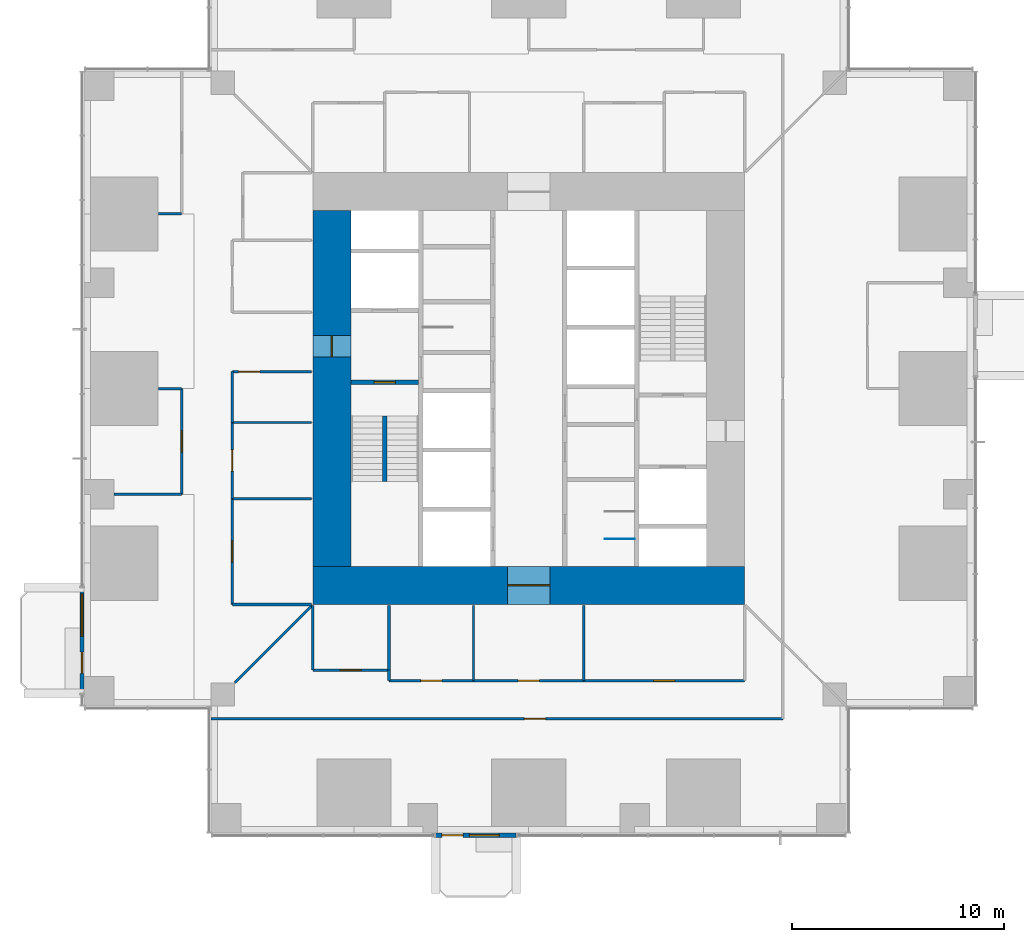
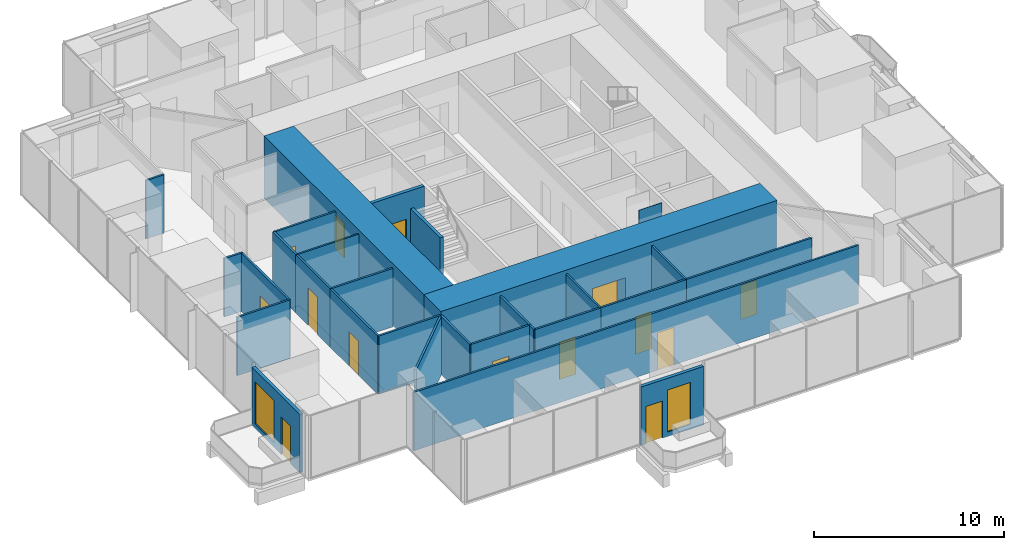
# One storey, part 11 of 17: 29 walls, 14 doors, 2 windows, 16 openings.
"""IFC4 building model written with IfcOpenShell, lengths in metres."""

from ifc_helpers import new_model, si_unit, direction, frame, frame_2d, origin, place, context, subcontext, project, spatial, rectangle, extrude, material, layer, layer_set, type_object, element, fill, save


model = new_model("IFC4")

# Units and contexts
model_context = context("Model", 3, precision=1e-05, world=origin(), true_north=direction((0.0, 1.0)))
body_context = subcontext(model_context, "Body", "Model", "MODEL_VIEW")
ifc_project = project(units=[si_unit("LENGTHUNIT", "METRE"), si_unit("AREAUNIT", "SQUARE_METRE"), si_unit("VOLUMEUNIT", "CUBIC_METRE"), si_unit("PLANEANGLEUNIT", "RADIAN"), si_unit("MASSUNIT", "GRAM", prefix="KILO")], contexts=[model_context])

# Site, building, storey
site_placement = place(None, origin())
site = spatial("IfcSite", under=ifc_project, at=site_placement, CompositionType="ELEMENT")
building_placement = place(site_placement, origin())
building = spatial("IfcBuilding", under=site, at=building_placement, Name="Svetlomir Tower", CompositionType="ELEMENT")
storey_placement = place(building_placement, frame((0.0, 0.0, 30.5)))
storey = spatial("IfcBuildingStorey", under=building, at=storey_placement, Name="L06", CompositionType="ELEMENT", Elevation=30.5)

# Wall, openings, door, window
ifc_material_1 = material(Name="Bronze anodised aluminium glazed screen", Category="aluminium")
ifc_layer_1 = layer(ifc_material_1, 0.199951171875)
ifc_layer_set_1 = layer_set([ifc_layer_1], Name="Bronze anodised aluminium glazed screen")
wall_type_1 = type_object("IfcWallType", Name="BALCONY SCREEN WALL 200", PredefinedType="USERDEFINED", material=ifc_layer_set_1)
wall_1_placement = place(storey_placement, frame((16.60009765625, -0.10009765625, 0.0), z_axis=(0.0, 0.0, 1.0), x_axis=(1.0, 0.0, 0.0)))
wall_1 = element("IfcWall", 1, at=wall_1_placement, inside=storey, type_object=wall_type_1, Name="Balcony screen S", ObjectType="GLAZED SCREEN", PredefinedType="USERDEFINED", context=body_context, shape_type="SweptSolid", body=[
    extrude(rectangle(XDim=3.7998046875, YDim=0.199951171875, at=frame_2d((1.89990234375, 0.0))), origin(), (0.0, 0.0, 1.0), 3.75),
])
opening_1_placement = place(wall_1_placement, frame((0.300048828125, 0.0, 0.0)))
opening_1 = element("IfcOpeningElement", 2, at=opening_1_placement, cuts=wall_1, Name="Opening BD", PredefinedType="OPENING", context=body_context, shape_type="SweptSolid", body=[
    extrude(rectangle(XDim=1.0, YDim=2.39990234375, at=frame_2d((0.5, 1.199951171875))), frame((0.0, 0.10986328125, 0.0), z_axis=(0.0, -1.0, 0.0), x_axis=(1.0, 0.0, 0.0)), (0.0, 0.0, 1.0), 0.219970703125),
])
opening_2_placement = place(wall_1_placement, frame((1.60009765625, 0.0, 0.300048828125)))
opening_2 = element("IfcOpeningElement", 3, at=opening_2_placement, cuts=wall_1, Name="Opening WS2", PredefinedType="OPENING", context=body_context, shape_type="SweptSolid", body=[
    extrude(rectangle(XDim=1.39990234375, YDim=2.699951171875, at=frame_2d((0.699951171875, 1.35009765625))), frame((0.0, 0.10986328125, 0.0), z_axis=(0.0, -1.0, 0.0), x_axis=(1.0, 0.0, 0.0)), (0.0, 0.0, 1.0), 0.219970703125),
])
ifc_material_2 = material(Name="Bronze anodised aluminium glazed door", Category="aluminium")
door_type_1 = type_object("IfcDoorType", Name="BALCONY DOOR BD 1000x2400", OperationType="SINGLE_SWING_LEFT", PredefinedType="DOOR", material=ifc_material_2)
door_1_placement = place(opening_1_placement, origin())
door_1 = element("IfcDoor", 4, at=door_1_placement, inside=storey, type_object=door_type_1, Name="Balcony screen S door", OperationType="SINGLE_SWING_LEFT", OverallHeight=2.39990234375, OverallWidth=1.0, PredefinedType="DOOR", context=body_context, shape_type="SweptSolid", body=[
    extrude(rectangle(XDim=1.0, YDim=2.39990234375, at=frame_2d((0.5, 1.199951171875))), frame((0.0, 0.02490234375, 0.0), z_axis=(0.0, -1.0, 0.0), x_axis=(1.0, 0.0, 0.0)), (0.0, 0.0, 1.0), 0.050048828125),
])
fill(opening_1, door_1)
ifc_material_3 = material(Name="Bronze anodised aluminium window", Category="aluminium")
window_type_1 = type_object("IfcWindowType", Name="SCREEN WINDOW WS2 1400x2700", PartitioningType="SINGLE_PANEL", PredefinedType="WINDOW", material=ifc_material_3)
window_1_placement = place(opening_2_placement, origin())
window_1 = element("IfcWindow", 5, at=window_1_placement, inside=storey, type_object=window_type_1, Name="Balcony screen S window 1", OverallHeight=2.699951171875, OverallWidth=1.39990234375, PartitioningType="SINGLE_PANEL", PredefinedType="WINDOW", context=body_context, shape_type="SweptSolid", body=[
    extrude(rectangle(XDim=1.39990234375, YDim=2.699951171875, at=frame_2d((0.699951171875, 1.35009765625))), frame((0.0, 0.030029296875, 0.0), z_axis=(0.0, -1.0, 0.0), x_axis=(1.0, 0.0, 0.0)), (0.0, 0.0, 1.0), 0.06005859375),
])
fill(opening_2, window_1)

wall_2_placement = place(storey_placement, frame((-0.10009765625, 11.60009765625, 0.0), z_axis=(0.0, 0.0, 1.0), x_axis=(0.0, -1.0, 0.0)))
wall_2 = element("IfcWall", 6, at=wall_2_placement, inside=storey, type_object=wall_type_1, Name="Balcony screen W", ObjectType="GLAZED SCREEN", PredefinedType="USERDEFINED", context=body_context, shape_type="SweptSolid", body=[
    extrude(rectangle(XDim=5.0, YDim=0.199951171875, at=frame_2d((2.5, 0.0))), origin(), (0.0, 0.0, 1.0), 3.75),
])
opening_3_placement = place(wall_2_placement, frame((3.050048828125, 0.0, 0.0)))
opening_3 = element("IfcOpeningElement", 7, at=opening_3_placement, cuts=wall_2, Name="Opening BD", PredefinedType="OPENING", context=body_context, shape_type="SweptSolid", body=[
    extrude(rectangle(XDim=1.0, YDim=2.39990234375, at=frame_2d((0.5, 1.199951171875))), frame((0.0, 0.10986328125, 0.0), z_axis=(0.0, -1.0, 0.0), x_axis=(1.0, 0.0, 0.0)), (0.0, 0.0, 1.0), 0.219970703125),
])
opening_4_placement = place(wall_2_placement, frame((0.300048828125, 0.0, 0.300048828125)))
opening_4 = element("IfcOpeningElement", 8, at=opening_4_placement, cuts=wall_2, Name="Opening WS", PredefinedType="OPENING", context=body_context, shape_type="SweptSolid", body=[
    extrude(rectangle(XDim=2.0, YDim=2.699951171875, at=frame_2d((1.0, 1.35009765625))), frame((0.0, 0.10986328125, 0.0), z_axis=(0.0, -1.0, 0.0), x_axis=(1.0, 0.0, 0.0)), (0.0, 0.0, 1.0), 0.219970703125),
])
door_2_placement = place(opening_3_placement, origin())
door_2 = element("IfcDoor", 9, at=door_2_placement, inside=storey, type_object=door_type_1, Name="Balcony screen W door", OperationType="SINGLE_SWING_LEFT", OverallHeight=2.39990234375, OverallWidth=1.0, PredefinedType="DOOR", context=body_context, shape_type="SweptSolid", body=[
    extrude(rectangle(XDim=1.0, YDim=2.39990234375, at=frame_2d((0.5, 1.199951171875))), frame((0.0, 0.02490234375, 0.0), z_axis=(0.0, -1.0, 0.0), x_axis=(1.0, 0.0, 0.0)), (0.0, 0.0, 1.0), 0.050048828125),
])
fill(opening_3, door_2)
ifc_material_4 = material(Name="Bronze anodised aluminium window", Category="aluminium")
window_type_2 = type_object("IfcWindowType", Name="SCREEN WINDOW WS 2000x2700", PartitioningType="SINGLE_PANEL", PredefinedType="WINDOW", material=ifc_material_4)
window_2_placement = place(opening_4_placement, origin())
window_2 = element("IfcWindow", 10, at=window_2_placement, inside=storey, type_object=window_type_2, Name="Balcony screen W window 1", OverallHeight=2.699951171875, OverallWidth=2.0, PartitioningType="SINGLE_PANEL", PredefinedType="WINDOW", context=body_context, shape_type="SweptSolid", body=[
    extrude(rectangle(XDim=2.0, YDim=2.699951171875, at=frame_2d((1.0, 1.35009765625))), frame((0.0, 0.030029296875, 0.0), z_axis=(0.0, -1.0, 0.0), x_axis=(1.0, 0.0, 0.0)), (0.0, 0.0, 1.0), 0.06005859375),
])
fill(opening_4, window_2)

# Wall, opening, door
ifc_material_5 = material(Name="Concrete C60/75", Category="concrete")
ifc_layer_2 = layer(ifc_material_5, 0.199951171875)
ifc_layer_set_2 = layer_set([ifc_layer_2], Name="Concrete C60/75")
wall_type_2 = type_object("IfcWallType", Name="CORE INNER WALL 200", PredefinedType="SHEAR", material=ifc_layer_set_2)
wall_3_placement = place(storey_placement, frame((12.60009765625, 21.300048828125, -0.050048828125), z_axis=(0.0, 0.0, 1.0), x_axis=(1.0, 0.0, 0.0)))
wall_3 = element("IfcWall", 11, at=wall_3_placement, inside=storey, type_object=wall_type_2, Name="Core inner wall 12.6-15.8/21.3 L06", PredefinedType="SHEAR", context=body_context, shape_type="SweptSolid", body=[
    extrude(rectangle(XDim=3.199951171875, YDim=0.199951171875, at=frame_2d((1.60009765625, 0.0))), origin(), (0.0, 0.0, 1.0), 4.0),
])
opening_5_placement = place(wall_3_placement, frame((1.10009765625, 0.0, 0.050048828125)))
opening_5 = element("IfcOpeningElement", 12, at=opening_5_placement, cuts=wall_3, Name="Opening DF", PredefinedType="OPENING", context=body_context, shape_type="SweptSolid", body=[
    extrude(rectangle(XDim=1.0, YDim=2.199951171875, at=frame_2d((0.5, 1.10009765625))), frame((0.0, 0.10986328125, 0.0), z_axis=(0.0, -1.0, 0.0), x_axis=(1.0, 0.0, 0.0)), (0.0, 0.0, 1.0), 0.219970703125),
])
ifc_material_6 = material(Name="Steel fire door", Category="steel")
door_type_2 = type_object("IfcDoorType", Name="DOOR DF 1000x2200", OperationType="SINGLE_SWING_LEFT", PredefinedType="DOOR", material=ifc_material_6)
door_3_placement = place(opening_5_placement, origin())
door_3 = element("IfcDoor", 13, at=door_3_placement, inside=storey, type_object=door_type_2, Name="Stair S1 door L06", OperationType="SINGLE_SWING_LEFT", OverallHeight=2.199951171875, OverallWidth=1.0, PredefinedType="DOOR", context=body_context, shape_type="SweptSolid", body=[
    extrude(rectangle(XDim=1.0, YDim=2.199951171875, at=frame_2d((0.5, 1.10009765625))), frame((0.0, 0.02490234375, 0.0), z_axis=(0.0, -1.0, 0.0), x_axis=(1.0, 0.0, 0.0)), (0.0, 0.0, 1.0), 0.050048828125),
])
fill(opening_5, door_3)

ifc_material_7 = material(Name="Concrete C60/75", Category="concrete")
ifc_layer_3 = layer(ifc_material_7, 1.800048828125)
ifc_layer_set_3 = layer_set([ifc_layer_3], Name="Concrete C60/75")
wall_type_3 = type_object("IfcWallType", Name="CORE WALL 1800", PredefinedType="SHEAR", material=ifc_layer_set_3)
wall_4_placement = place(storey_placement, frame((10.800048828125, 11.699951171875, -0.050048828125), z_axis=(0.0, 0.0, 1.0), x_axis=(1.0, 0.0, 0.0)))
wall_4 = element("IfcWall", 14, at=wall_4_placement, inside=storey, type_object=wall_type_3, Name="Core wall south L06", PredefinedType="SHEAR", context=body_context, shape_type="SweptSolid", body=[
    extrude(rectangle(XDim=20.39990234375, YDim=1.800048828125, at=frame_2d((10.199951171875, 0.0))), origin(), (0.0, 0.0, 1.0), 4.0),
])
opening_6_placement = place(wall_4_placement, frame((9.199951171875, 0.0, 0.050048828125)))
opening_6 = element("IfcOpeningElement", 15, at=opening_6_placement, cuts=wall_4, Name="Opening DL", PredefinedType="OPENING", context=body_context, shape_type="SweptSolid", body=[
    extrude(rectangle(XDim=2.0, YDim=2.199951171875, at=frame_2d((1.0, 1.10009765625))), frame((0.0, 0.91015625, 0.0), z_axis=(0.0, -1.0, 0.0), x_axis=(1.0, 0.0, 0.0)), (0.0, 0.0, 1.0), 1.820068359375),
])
ifc_material_8 = material(Name="Steel fire door", Category="steel")
door_type_3 = type_object("IfcDoorType", Name="DOOR DL 2000x2200", OperationType="DOUBLE_DOOR_SINGLE_SWING", PredefinedType="DOOR", material=ifc_material_8)
door_4_placement = place(opening_6_placement, origin())
door_4 = element("IfcDoor", 16, at=door_4_placement, inside=storey, type_object=door_type_3, Name="Lift lobby south door L06", OperationType="DOUBLE_DOOR_SINGLE_SWING", OverallHeight=2.199951171875, OverallWidth=2.0, PredefinedType="DOOR", context=body_context, shape_type="SweptSolid", body=[
    extrude(rectangle(XDim=2.0, YDim=2.199951171875, at=frame_2d((1.0, 1.10009765625))), frame((0.0, 0.02490234375, 0.0), z_axis=(0.0, -1.0, 0.0), x_axis=(1.0, 0.0, 0.0)), (0.0, 0.0, 1.0), 0.050048828125),
])
fill(opening_6, door_4)

wall_5_placement = place(storey_placement, frame((11.699951171875, 12.60009765625, -0.050048828125), z_axis=(0.0, 0.0, 1.0), x_axis=(0.0, 1.0, 0.0)))
wall_5 = element("IfcWall", 17, at=wall_5_placement, inside=storey, type_object=wall_type_3, Name="Core wall west L06", PredefinedType="SHEAR", context=body_context, shape_type="SweptSolid", body=[
    extrude(rectangle(XDim=16.7998046875, YDim=1.800048828125, at=frame_2d((8.39990234375, 0.0))), origin(), (0.0, 0.0, 1.0), 4.0),
])
opening_7_placement = place(wall_5_placement, frame((9.89990234375, 0.0, 0.050048828125)))
opening_7 = element("IfcOpeningElement", 18, at=opening_7_placement, cuts=wall_5, Name="Opening DF", PredefinedType="OPENING", context=body_context, shape_type="SweptSolid", body=[
    extrude(rectangle(XDim=1.0, YDim=2.199951171875, at=frame_2d((0.5, 1.10009765625))), frame((0.0, 0.91015625, 0.0), z_axis=(0.0, -1.0, 0.0), x_axis=(1.0, 0.0, 0.0)), (0.0, 0.0, 1.0), 1.820068359375),
])
door_5_placement = place(opening_7_placement, origin())
door_5 = element("IfcDoor", 19, at=door_5_placement, inside=storey, type_object=door_type_2, Name="Firefighting lobby west door L06", OperationType="SINGLE_SWING_LEFT", OverallHeight=2.199951171875, OverallWidth=1.0, PredefinedType="DOOR", context=body_context, shape_type="SweptSolid", body=[
    extrude(rectangle(XDim=1.0, YDim=2.199951171875, at=frame_2d((0.5, 1.10009765625))), frame((0.0, 0.02490234375, 0.0), z_axis=(0.0, -1.0, 0.0), x_axis=(1.0, 0.0, 0.0)), (0.0, 0.0, 1.0), 0.050048828125),
])
fill(opening_7, door_5)

# Walls
ifc_material_9 = material(Name="Framed laminated glass partition", Category="glass")
ifc_layer_4 = layer(ifc_material_9, 0.10009765625)
ifc_layer_set_4 = layer_set([ifc_layer_4], Name="Framed laminated glass partition")
wall_type_4 = type_object("IfcWallType", Name="GLAZED PARTITION 100", PredefinedType="PARTITIONING", material=ifc_layer_set_4)
wall_6_placement = place(storey_placement, frame((7.0, 19.39990234375, 0.0), z_axis=(0.0, 0.0, 1.0), x_axis=(1.0, 0.0, 0.0)))
element("IfcWall", 20, at=wall_6_placement, inside=storey, type_object=wall_type_4, Name="Glazed partition L06", PredefinedType="PARTITIONING", context=body_context, shape_type="SweptSolid", body=[
    extrude(rectangle(XDim=3.75, YDim=0.10009765625, at=frame_2d((1.875, 0.0))), origin(), (0.0, 0.0, 1.0), 3.75),
])
wall_7_placement = place(storey_placement, frame((18.39990234375, 7.199951171875, 0.0), z_axis=(0.0, 0.0, 1.0), x_axis=(0.0, 1.0, 0.0)))
element("IfcWall", 21, at=wall_7_placement, inside=storey, type_object=wall_type_4, Name="Glazed partition L06", PredefinedType="PARTITIONING", context=body_context, shape_type="SweptSolid", body=[
    extrude(rectangle(XDim=3.550048828125, YDim=0.10009765625, at=frame_2d((1.77490234375, 0.0))), origin(), (0.0, 0.0, 1.0), 3.75),
])
ifc_material_10 = material(Name="Gypsum board on steel studs", Category="steel")
ifc_layer_5 = layer(ifc_material_10, 0.1201171875)
ifc_layer_set_5 = layer_set([ifc_layer_5], Name="Gypsum board on steel studs")
wall_type_5 = type_object("IfcWallType", Name="PARTITION 120", PredefinedType="PARTITIONING", material=ifc_layer_set_5)
wall_8_placement = place(storey_placement, frame((1.409912109375, 16.0, 0.0), z_axis=(0.0, 0.0, 1.0), x_axis=(1.0, 0.0, 0.0)))
element("IfcWall", 22, at=wall_8_placement, inside=storey, type_object=wall_type_5, Name="Partition L06", PredefinedType="PARTITIONING", context=body_context, shape_type="SweptSolid", body=[
    extrude(rectangle(XDim=3.190185546875, YDim=0.1201171875, at=frame_2d((1.59521484375, 0.0))), origin(), (0.0, 0.0, 1.0), 3.75),
])
for number, where, z_axis, x_axis, name in (
    (23, (3.510009765625, 21.0, 0.0), (0.0, 0.0, 1.0), (1.0, 0.0, 0.0), "Partition L06"),
    (24, (3.510009765625, 29.25, 0.0), (0.0, 0.0, 1.0), (1.0, 0.0, 0.0), "Partition L06"),
):
    element("IfcWall", number, at=place(storey_placement, frame(where, z_axis=z_axis, x_axis=x_axis)), inside=storey, type_object=wall_type_5, Name=name, PredefinedType="PARTITIONING", context=body_context, shape_type="SweptSolid", body=[
        extrude(rectangle(XDim=1.090087890625, YDim=0.1201171875, at=frame_2d((0.544921875, 0.0))), origin(), (0.0, 0.0, 1.0), 3.75),
    ])

# Wall, opening, door
wall_9_placement = place(storey_placement, frame((4.60009765625, 16.0, 0.0), z_axis=(0.0, 0.0, 1.0), x_axis=(0.0, 1.0, 0.0)))
wall_9 = element("IfcWall", 25, at=wall_9_placement, inside=storey, type_object=wall_type_5, Name="Partition L06", PredefinedType="PARTITIONING", context=body_context, shape_type="SweptSolid", body=[
    extrude(rectangle(XDim=5.0, YDim=0.1201171875, at=frame_2d((2.5, 0.0))), origin(), (0.0, 0.0, 1.0), 3.75),
])
opening_8_placement = place(wall_9_placement, frame((2.0, 0.0, 0.0)))
opening_8 = element("IfcOpeningElement", 26, at=opening_8_placement, cuts=wall_9, Name="Opening DR", PredefinedType="OPENING", context=body_context, shape_type="SweptSolid", body=[
    extrude(rectangle(XDim=1.0, YDim=2.199951171875, at=frame_2d((0.5, 1.10009765625))), frame((0.0, 0.070068359375, 0.0), z_axis=(0.0, -1.0, 0.0), x_axis=(1.0, 0.0, 0.0)), (0.0, 0.0, 1.0), 0.14013671875),
])
ifc_material_11 = material(Name="Timber door, glazed side light", Category="wood")
door_type_4 = type_object("IfcDoorType", Name="DOOR DR 1000x2200", OperationType="SINGLE_SWING_LEFT", PredefinedType="DOOR", material=ifc_material_11)
door_6_placement = place(opening_8_placement, origin())
door_6 = element("IfcDoor", 27, at=door_6_placement, inside=storey, type_object=door_type_4, Name="Market data and print room door L06", OperationType="SINGLE_SWING_RIGHT", OverallHeight=2.199951171875, OverallWidth=1.0, PredefinedType="DOOR", context=body_context, shape_type="SweptSolid", body=[
    extrude(rectangle(XDim=1.0, YDim=2.199951171875, at=frame_2d((0.5, 1.10009765625))), frame((0.0, 0.02490234375, 0.0), z_axis=(0.0, -1.0, 0.0), x_axis=(1.0, 0.0, 0.0)), (0.0, 0.0, 1.0), 0.050048828125),
])
fill(opening_8, door_6)

wall_10_placement = place(storey_placement, frame((6.0, 5.39990234375, 0.0), z_axis=(0.0, 0.0, 1.0), x_axis=(1.0, 0.0, 0.0)))
wall_10 = element("IfcWall", 28, at=wall_10_placement, inside=storey, type_object=wall_type_5, Name="Partition L06", PredefinedType="PARTITIONING", context=body_context, shape_type="SweptSolid", body=[
    extrude(rectangle(XDim=27.0, YDim=0.1201171875, at=frame_2d((13.5, 0.0))), origin(), (0.0, 0.0, 1.0), 3.75),
])
opening_9_placement = place(wall_10_placement, frame((14.800048828125, 0.0, 0.0)))
opening_9 = element("IfcOpeningElement", 29, at=opening_9_placement, cuts=wall_10, Name="Opening DG", PredefinedType="OPENING", context=body_context, shape_type="SweptSolid", body=[
    extrude(rectangle(XDim=1.0, YDim=2.39990234375, at=frame_2d((0.5, 1.199951171875))), frame((0.0, 0.070068359375, 0.0), z_axis=(0.0, -1.0, 0.0), x_axis=(1.0, 0.0, 0.0)), (0.0, 0.0, 1.0), 0.14013671875),
])
ifc_material_12 = material(Name="Framed laminated glass door", Category="glass")
door_type_5 = type_object("IfcDoorType", Name="GLAZED DOOR DG 1000x2400", OperationType="SINGLE_SWING_LEFT", PredefinedType="DOOR", material=ifc_material_12)
door_7_placement = place(opening_9_placement, origin())
door_7 = element("IfcDoor", 30, at=door_7_placement, inside=storey, type_object=door_type_5, Name="Ring corridor 1 door 1 L06", OperationType="SINGLE_SWING_RIGHT", OverallHeight=2.39990234375, OverallWidth=1.0, PredefinedType="DOOR", context=body_context, shape_type="SweptSolid", body=[
    extrude(rectangle(XDim=1.0, YDim=2.39990234375, at=frame_2d((0.5, 1.199951171875))), frame((0.0, 0.02490234375, 0.0), z_axis=(0.0, -1.0, 0.0), x_axis=(1.0, 0.0, 0.0)), (0.0, 0.0, 1.0), 0.050048828125),
])
fill(opening_9, door_7)

wall_11_placement = place(storey_placement, frame((7.0, 10.800048828125, 0.0), z_axis=(0.0, 0.0, 1.0), x_axis=(0.0, 1.0, 0.0)))
wall_11 = element("IfcWall", 31, at=wall_11_placement, inside=storey, type_object=wall_type_5, Name="Partition L06", PredefinedType="PARTITIONING", context=body_context, shape_type="SweptSolid", body=[
    extrude(rectangle(XDim=5.0, YDim=0.1201171875, at=frame_2d((2.5, 0.0))), origin(), (0.0, 0.0, 1.0), 3.75),
])
opening_10_placement = place(wall_11_placement, frame((2.0, 0.0, 0.0)))
opening_10 = element("IfcOpeningElement", 32, at=opening_10_placement, cuts=wall_11, Name="Opening DR", PredefinedType="OPENING", context=body_context, shape_type="SweptSolid", body=[
    extrude(rectangle(XDim=1.0, YDim=2.199951171875, at=frame_2d((0.5, 1.10009765625))), frame((0.0, 0.070068359375, 0.0), z_axis=(0.0, -1.0, 0.0), x_axis=(1.0, 0.0, 0.0)), (0.0, 0.0, 1.0), 0.14013671875),
])
door_8_placement = place(opening_10_placement, origin())
door_8 = element("IfcDoor", 33, at=door_8_placement, inside=storey, type_object=door_type_4, Name="Settlements office door L06", OperationType="SINGLE_SWING_RIGHT", OverallHeight=2.199951171875, OverallWidth=1.0, PredefinedType="DOOR", context=body_context, shape_type="SweptSolid", body=[
    extrude(rectangle(XDim=1.0, YDim=2.199951171875, at=frame_2d((0.5, 1.10009765625))), frame((0.0, 0.02490234375, 0.0), z_axis=(0.0, -1.0, 0.0), x_axis=(1.0, 0.0, 0.0)), (0.0, 0.0, 1.0), 0.050048828125),
])
fill(opening_10, door_8)

# Wall
wall_12_placement = place(storey_placement, frame((7.0, 10.800048828125, 0.0), z_axis=(0.0, 0.0, 1.0), x_axis=(1.0, 0.0, 0.0)))
element("IfcWall", 34, at=wall_12_placement, inside=storey, type_object=wall_type_5, Name="Partition L06", PredefinedType="PARTITIONING", context=body_context, shape_type="SweptSolid", body=[
    extrude(rectangle(XDim=3.75, YDim=0.1201171875, at=frame_2d((1.875, 0.0))), origin(), (0.0, 0.0, 1.0), 3.75),
])

# Wall, opening, door
wall_13_placement = place(storey_placement, frame((7.0, 15.800048828125, 0.0), z_axis=(0.0, 0.0, 1.0), x_axis=(0.0, 1.0, 0.0)))
wall_13 = element("IfcWall", 35, at=wall_13_placement, inside=storey, type_object=wall_type_5, Name="Partition L06", PredefinedType="PARTITIONING", context=body_context, shape_type="SweptSolid", body=[
    extrude(rectangle(XDim=3.599853515625, YDim=0.1201171875, at=frame_2d((1.7998046875, 0.0))), origin(), (0.0, 0.0, 1.0), 3.75),
])
opening_11_placement = place(wall_13_placement, frame((1.300048828125, 0.0, 0.0)))
opening_11 = element("IfcOpeningElement", 36, at=opening_11_placement, cuts=wall_13, Name="Opening DG", PredefinedType="OPENING", context=body_context, shape_type="SweptSolid", body=[
    extrude(rectangle(XDim=1.0, YDim=2.39990234375, at=frame_2d((0.5, 1.199951171875))), frame((0.0, 0.070068359375, 0.0), z_axis=(0.0, -1.0, 0.0), x_axis=(1.0, 0.0, 0.0)), (0.0, 0.0, 1.0), 0.14013671875),
])
door_9_placement = place(opening_11_placement, origin())
door_9 = element("IfcDoor", 37, at=door_9_placement, inside=storey, type_object=door_type_5, Name="Meeting room, 4 seats door L06", OperationType="SINGLE_SWING_LEFT", OverallHeight=2.39990234375, OverallWidth=1.0, PredefinedType="DOOR", context=body_context, shape_type="SweptSolid", body=[
    extrude(rectangle(XDim=1.0, YDim=2.39990234375, at=frame_2d((0.5, 1.199951171875))), frame((0.0, 0.02490234375, 0.0), z_axis=(0.0, -1.0, 0.0), x_axis=(1.0, 0.0, 0.0)), (0.0, 0.0, 1.0), 0.050048828125),
])
fill(opening_11, door_9)

# Walls
wall_14_placement = place(storey_placement, frame((7.0, 15.800048828125, 0.0), z_axis=(0.0, 0.0, 1.0), x_axis=(1.0, 0.0, 0.0)))
element("IfcWall", 38, at=wall_14_placement, inside=storey, type_object=wall_type_5, Name="Partition L06", PredefinedType="PARTITIONING", context=body_context, shape_type="SweptSolid", body=[
    extrude(rectangle(XDim=3.75, YDim=0.1201171875, at=frame_2d((1.875, 0.0))), origin(), (0.0, 0.0, 1.0), 3.75),
])
wall_15_placement = place(storey_placement, frame((7.0, 19.39990234375, 0.0), z_axis=(0.0, 0.0, 1.0), x_axis=(0.0, 1.0, 0.0)))
element("IfcWall", 39, at=wall_15_placement, inside=storey, type_object=wall_type_5, Name="Partition L06", PredefinedType="PARTITIONING", context=body_context, shape_type="SweptSolid", body=[
    extrude(rectangle(XDim=2.400146484375, YDim=0.1201171875, at=frame_2d((1.2001953125, 0.0))), origin(), (0.0, 0.0, 1.0), 3.75),
])

# Wall, opening, door
wall_16_placement = place(storey_placement, frame((7.0, 21.800048828125, 0.0), z_axis=(0.0, 0.0, 1.0), x_axis=(1.0, 0.0, 0.0)))
wall_16 = element("IfcWall", 40, at=wall_16_placement, inside=storey, type_object=wall_type_5, Name="Partition L06", PredefinedType="PARTITIONING", context=body_context, shape_type="SweptSolid", body=[
    extrude(rectangle(XDim=3.75, YDim=0.1201171875, at=frame_2d((1.875, 0.0))), origin(), (0.0, 0.0, 1.0), 3.75),
])
opening_12_placement = place(wall_16_placement, frame((0.300048828125, 0.0, 0.0)))
opening_12 = element("IfcOpeningElement", 41, at=opening_12_placement, cuts=wall_16, Name="Opening DG", PredefinedType="OPENING", context=body_context, shape_type="SweptSolid", body=[
    extrude(rectangle(XDim=1.0, YDim=2.39990234375, at=frame_2d((0.5, 1.199951171875))), frame((0.0, 0.070068359375, 0.0), z_axis=(0.0, -1.0, 0.0), x_axis=(1.0, 0.0, 0.0)), (0.0, 0.0, 1.0), 0.14013671875),
])
door_10_placement = place(opening_12_placement, origin())
door_10 = element("IfcDoor", 42, at=door_10_placement, inside=storey, type_object=door_type_5, Name="Ring corridor 3 door 3 L06", OperationType="SINGLE_SWING_LEFT", OverallHeight=2.39990234375, OverallWidth=1.0, PredefinedType="DOOR", context=body_context, shape_type="SweptSolid", body=[
    extrude(rectangle(XDim=1.0, YDim=2.39990234375, at=frame_2d((0.5, 1.199951171875))), frame((0.0, 0.02490234375, 0.0), z_axis=(0.0, -1.0, 0.0), x_axis=(1.0, 0.0, 0.0)), (0.0, 0.0, 1.0), 0.050048828125),
])
fill(opening_12, door_10)

# Walls
wall_17_placement = place(storey_placement, frame((7.110107421875, 7.110107421875, 0.0), z_axis=(0.0, 0.0, 1.0), x_axis=(0.707106781187, 0.707106781187, 0.0)))
element("IfcWall", 43, at=wall_17_placement, inside=storey, type_object=wall_type_5, Name="Partition L06", PredefinedType="PARTITIONING", context=body_context, shape_type="SweptSolid", body=[
    extrude(rectangle(XDim=5.168212890625, YDim=0.1201171875, at=frame_2d((2.583984375, 0.0))), origin(), (0.0, 0.0, 1.0), 3.75),
])
wall_18_placement = place(storey_placement, frame((10.800048828125, 7.699951171875, 0.0), z_axis=(0.0, 0.0, 1.0), x_axis=(0.0, 1.0, 0.0)))
element("IfcWall", 44, at=wall_18_placement, inside=storey, type_object=wall_type_5, Name="Partition L06", PredefinedType="PARTITIONING", context=body_context, shape_type="SweptSolid", body=[
    extrude(rectangle(XDim=3.050048828125, YDim=0.1201171875, at=frame_2d((1.52490234375, 0.0))), origin(), (0.0, 0.0, 1.0), 3.75),
])

# Wall, opening, door
wall_19_placement = place(storey_placement, frame((10.800048828125, 7.699951171875, 0.0), z_axis=(0.0, 0.0, 1.0), x_axis=(1.0, 0.0, 0.0)))
wall_19 = element("IfcWall", 45, at=wall_19_placement, inside=storey, type_object=wall_type_5, Name="Partition L06", PredefinedType="PARTITIONING", context=body_context, shape_type="SweptSolid", body=[
    extrude(rectangle(XDim=3.599853515625, YDim=0.1201171875, at=frame_2d((1.7998046875, 0.0))), origin(), (0.0, 0.0, 1.0), 3.75),
])
opening_13_placement = place(wall_19_placement, frame((1.300048828125, 0.0, 0.0)))
opening_13 = element("IfcOpeningElement", 46, at=opening_13_placement, cuts=wall_19, Name="Opening DR", PredefinedType="OPENING", context=body_context, shape_type="SweptSolid", body=[
    extrude(rectangle(XDim=1.0, YDim=2.199951171875, at=frame_2d((0.5, 1.10009765625))), frame((0.0, 0.070068359375, 0.0), z_axis=(0.0, -1.0, 0.0), x_axis=(1.0, 0.0, 0.0)), (0.0, 0.0, 1.0), 0.14013671875),
])
door_11_placement = place(opening_13_placement, origin())
door_11 = element("IfcDoor", 47, at=door_11_placement, inside=storey, type_object=door_type_4, Name="Market data server room door L06", OperationType="SINGLE_SWING_RIGHT", OverallHeight=2.199951171875, OverallWidth=1.0, PredefinedType="DOOR", context=body_context, shape_type="SweptSolid", body=[
    extrude(rectangle(XDim=1.0, YDim=2.199951171875, at=frame_2d((0.5, 1.10009765625))), frame((0.0, 0.02490234375, 0.0), z_axis=(0.0, -1.0, 0.0), x_axis=(1.0, 0.0, 0.0)), (0.0, 0.0, 1.0), 0.050048828125),
])
fill(opening_13, door_11)

# Wall
wall_20_placement = place(storey_placement, frame((14.39990234375, 7.199951171875, 0.0), z_axis=(0.0, 0.0, 1.0), x_axis=(0.0, 1.0, 0.0)))
element("IfcWall", 48, at=wall_20_placement, inside=storey, type_object=wall_type_5, Name="Partition L06", PredefinedType="PARTITIONING", context=body_context, shape_type="SweptSolid", body=[
    extrude(rectangle(XDim=0.5, YDim=0.1201171875, at=frame_2d((0.25, 0.0))), origin(), (0.0, 0.0, 1.0), 3.75),
])

# Wall, opening, door
wall_21_placement = place(storey_placement, frame((14.39990234375, 7.199951171875, 0.0), z_axis=(0.0, 0.0, 1.0), x_axis=(1.0, 0.0, 0.0)))
wall_21 = element("IfcWall", 49, at=wall_21_placement, inside=storey, type_object=wall_type_5, Name="Partition L06", PredefinedType="PARTITIONING", context=body_context, shape_type="SweptSolid", body=[
    extrude(rectangle(XDim=4.0, YDim=0.1201171875, at=frame_2d((2.0, 0.0))), origin(), (0.0, 0.0, 1.0), 3.75),
])
opening_14_placement = place(wall_21_placement, frame((1.5, 0.0, 0.0)))
opening_14 = element("IfcOpeningElement", 50, at=opening_14_placement, cuts=wall_21, Name="Opening DG", PredefinedType="OPENING", context=body_context, shape_type="SweptSolid", body=[
    extrude(rectangle(XDim=1.0, YDim=2.39990234375, at=frame_2d((0.5, 1.199951171875))), frame((0.0, 0.070068359375, 0.0), z_axis=(0.0, -1.0, 0.0), x_axis=(1.0, 0.0, 0.0)), (0.0, 0.0, 1.0), 0.14013671875),
])
door_12_placement = place(opening_14_placement, origin())
door_12 = element("IfcDoor", 51, at=door_12_placement, inside=storey, type_object=door_type_5, Name="Quiet room door L06", OperationType="SINGLE_SWING_LEFT", OverallHeight=2.39990234375, OverallWidth=1.0, PredefinedType="DOOR", context=body_context, shape_type="SweptSolid", body=[
    extrude(rectangle(XDim=1.0, YDim=2.39990234375, at=frame_2d((0.5, 1.199951171875))), frame((0.0, 0.02490234375, 0.0), z_axis=(0.0, -1.0, 0.0), x_axis=(1.0, 0.0, 0.0)), (0.0, 0.0, 1.0), 0.050048828125),
])
fill(opening_14, door_12)

# Wall
wall_22_placement = place(storey_placement, frame((14.39990234375, 7.699951171875, 0.0), z_axis=(0.0, 0.0, 1.0), x_axis=(0.0, 1.0, 0.0)))
element("IfcWall", 52, at=wall_22_placement, inside=storey, type_object=wall_type_5, Name="Partition L06", PredefinedType="PARTITIONING", context=body_context, shape_type="SweptSolid", body=[
    extrude(rectangle(XDim=3.050048828125, YDim=0.1201171875, at=frame_2d((1.52490234375, 0.0))), origin(), (0.0, 0.0, 1.0), 3.75),
])

# Wall, opening, door
wall_23_placement = place(storey_placement, frame((18.39990234375, 7.199951171875, 0.0), z_axis=(0.0, 0.0, 1.0), x_axis=(1.0, 0.0, 0.0)))
wall_23 = element("IfcWall", 53, at=wall_23_placement, inside=storey, type_object=wall_type_5, Name="Partition L06", PredefinedType="PARTITIONING", context=body_context, shape_type="SweptSolid", body=[
    extrude(rectangle(XDim=5.2001953125, YDim=0.1201171875, at=frame_2d((2.60009765625, 0.0))), origin(), (0.0, 0.0, 1.0), 3.75),
])
opening_15_placement = place(wall_23_placement, frame((2.10009765625, 0.0, 0.0)))
opening_15 = element("IfcOpeningElement", 54, at=opening_15_placement, cuts=wall_23, Name="Opening DG", PredefinedType="OPENING", context=body_context, shape_type="SweptSolid", body=[
    extrude(rectangle(XDim=1.0, YDim=2.39990234375, at=frame_2d((0.5, 1.199951171875))), frame((0.0, 0.070068359375, 0.0), z_axis=(0.0, -1.0, 0.0), x_axis=(1.0, 0.0, 0.0)), (0.0, 0.0, 1.0), 0.14013671875),
])
door_13_placement = place(opening_15_placement, origin())
door_13 = element("IfcDoor", 55, at=door_13_placement, inside=storey, type_object=door_type_5, Name="Ring corridor 1 door 2 L06", OperationType="SINGLE_SWING_LEFT", OverallHeight=2.39990234375, OverallWidth=1.0, PredefinedType="DOOR", context=body_context, shape_type="SweptSolid", body=[
    extrude(rectangle(XDim=1.0, YDim=2.39990234375, at=frame_2d((0.5, 1.199951171875))), frame((0.0, 0.02490234375, 0.0), z_axis=(0.0, -1.0, 0.0), x_axis=(1.0, 0.0, 0.0)), (0.0, 0.0, 1.0), 0.050048828125),
])
fill(opening_15, door_13)

# Wall
wall_24_placement = place(storey_placement, frame((23.60009765625, 7.199951171875, 0.0), z_axis=(0.0, 0.0, 1.0), x_axis=(0.0, 1.0, 0.0)))
element("IfcWall", 56, at=wall_24_placement, inside=storey, type_object=wall_type_5, Name="Partition L06", PredefinedType="PARTITIONING", context=body_context, shape_type="SweptSolid", body=[
    extrude(rectangle(XDim=3.550048828125, YDim=0.1201171875, at=frame_2d((1.77490234375, 0.0))), origin(), (0.0, 0.0, 1.0), 3.75),
])

# Wall, opening, door
wall_25_placement = place(storey_placement, frame((23.60009765625, 7.199951171875, 0.0), z_axis=(0.0, 0.0, 1.0), x_axis=(1.0, 0.0, 0.0)))
wall_25 = element("IfcWall", 57, at=wall_25_placement, inside=storey, type_object=wall_type_5, Name="Partition L06", PredefinedType="PARTITIONING", context=body_context, shape_type="SweptSolid", body=[
    extrude(rectangle(XDim=7.599853515625, YDim=0.1201171875, at=frame_2d((3.7998046875, 0.0))), origin(), (0.0, 0.0, 1.0), 3.75),
])
opening_16_placement = place(wall_25_placement, frame((3.300048828125, 0.0, 0.0)))
opening_16 = element("IfcOpeningElement", 58, at=opening_16_placement, cuts=wall_25, Name="Opening DR", PredefinedType="OPENING", context=body_context, shape_type="SweptSolid", body=[
    extrude(rectangle(XDim=1.0, YDim=2.199951171875, at=frame_2d((0.5, 1.10009765625))), frame((0.0, 0.070068359375, 0.0), z_axis=(0.0, -1.0, 0.0), x_axis=(1.0, 0.0, 0.0)), (0.0, 0.0, 1.0), 0.14013671875),
])
door_14_placement = place(opening_16_placement, origin())
door_14 = element("IfcDoor", 59, at=door_14_placement, inside=storey, type_object=door_type_4, Name="Treasury risk desk room door L06", OperationType="SINGLE_SWING_RIGHT", OverallHeight=2.199951171875, OverallWidth=1.0, PredefinedType="DOOR", context=body_context, shape_type="SweptSolid", body=[
    extrude(rectangle(XDim=1.0, YDim=2.199951171875, at=frame_2d((0.5, 1.10009765625))), frame((0.0, 0.02490234375, 0.0), z_axis=(0.0, -1.0, 0.0), x_axis=(1.0, 0.0, 0.0)), (0.0, 0.0, 1.0), 0.050048828125),
])
fill(opening_16, door_14)

# Walls
ifc_material_13 = material(Name="Concrete C60/75", Category="concrete")
ifc_layer_6 = layer(ifc_material_13, 0.199951171875)
ifc_layer_set_6 = layer_set([ifc_layer_6], Name="Concrete C60/75")
wall_type_6 = type_object("IfcWallType", Name="STAIR SPINE WALL 200", PredefinedType="PARTITIONING", material=ifc_layer_set_6)
wall_26_placement = place(storey_placement, frame((14.199951171875, 16.6201171875, 0.0), z_axis=(0.0, 0.0, 1.0), x_axis=(0.0, 1.0, 0.0)))
element("IfcWall", 60, at=wall_26_placement, inside=storey, type_object=wall_type_6, Name="Stair S1 spine wall L06", PredefinedType="PARTITIONING", context=body_context, shape_type="SweptSolid", body=[
    extrude(rectangle(XDim=3.079833984375, YDim=0.199951171875, at=frame_2d((1.5400390625, 0.0))), origin(), (0.0, 0.0, 1.0), 4.0),
])
ifc_material_14 = material(Name="Compact laminate panel", Category="plastic")
ifc_layer_7 = layer(ifc_material_14, 0.030029296875)
ifc_layer_set_7 = layer_set([ifc_layer_7], Name="Compact laminate panel")
wall_type_7 = type_object("IfcWallType", Name="WC CUBICLE PARTITION 30", PredefinedType="PARTITIONING", material=ifc_layer_set_7)
wall_27_placement = place(storey_placement, frame((24.60009765625, 13.89990234375, 0.0), z_axis=(0.0, 0.0, 1.0), x_axis=(1.0, 0.0, 0.0)))
element("IfcWall", 61, at=wall_27_placement, inside=storey, type_object=wall_type_7, Name="WC cubicle partition L06", PredefinedType="PARTITIONING", context=body_context, shape_type="SweptSolid", body=[
    extrude(rectangle(XDim=1.39990234375, YDim=0.030029296875, at=frame_2d((0.699951171875, 0.0))), origin(), (0.0, 0.0, 1.0), 3.75),
])

save(model, "model.ifc")
